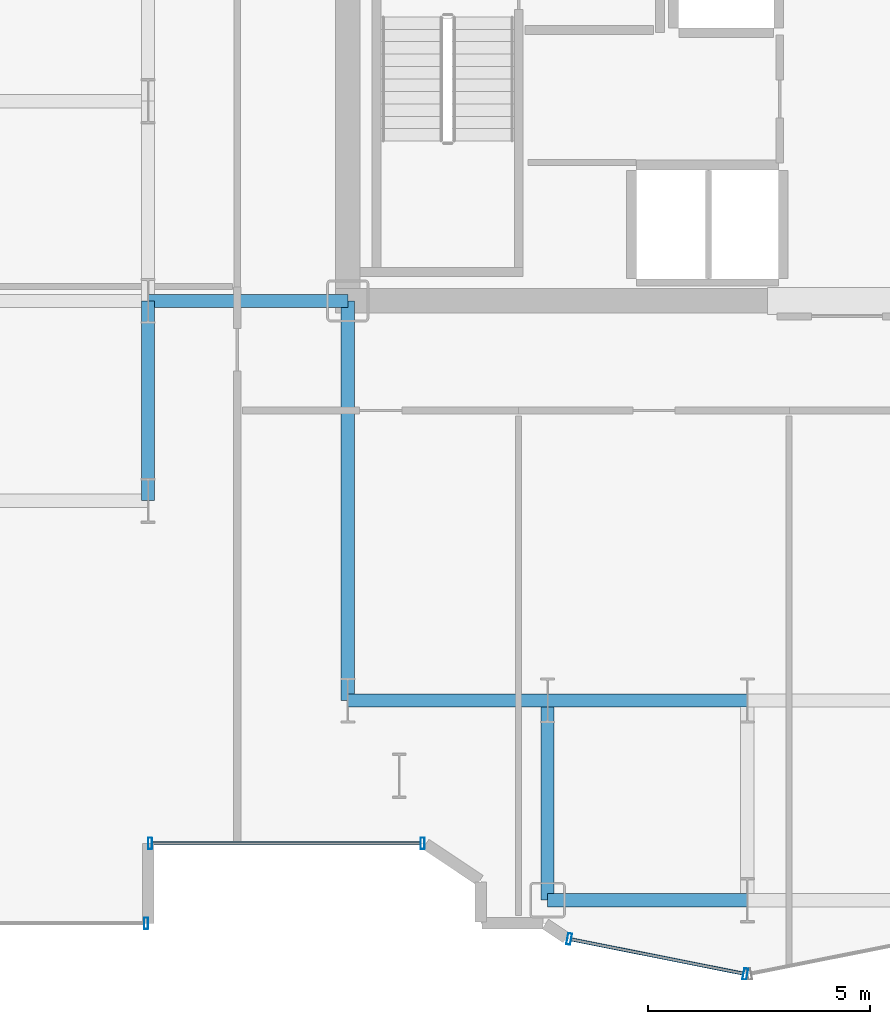
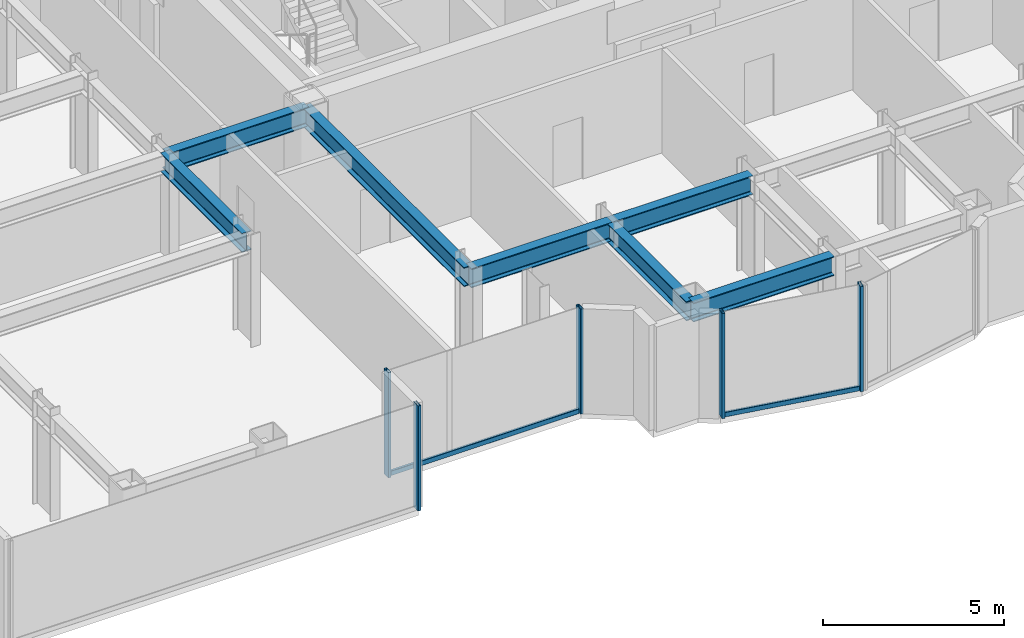
# One storey, part 4 of 26: 7 beams, 7 members, 3 elements without a shape of their own.
"""IFC4 building model written with IfcOpenShell, lengths in metres."""

from ifc_helpers import new_model, si_unit, direction, frame, origin, origin_2d, place, context, subcontext, project, spatial, hollow_rectangle, i_section, extrude, source, transform, mapped, material, layer, layer_set, material_profile, profile_set, type_object, element, aggregate, save


model = new_model("IFC4")

# Units and contexts
model_context = context("Model", 3, precision=1e-05, world=origin(), true_north=direction((0.0, 1.0)))
body_context = subcontext(model_context, "Body", "Model", "MODEL_VIEW")
ifc_project = project(units=[si_unit("LENGTHUNIT", "METRE"), si_unit("AREAUNIT", "SQUARE_METRE"), si_unit("VOLUMEUNIT", "CUBIC_METRE"), si_unit("PLANEANGLEUNIT", "RADIAN"), si_unit("MASSUNIT", "GRAM", prefix="KILO")], contexts=[model_context])

# Site, building, storey
site_placement = place(None, origin())
site = spatial("IfcSite", under=ifc_project, at=site_placement, CompositionType="ELEMENT")
building_placement = place(site_placement, origin())
building = spatial("IfcBuilding", under=site, at=building_placement, Name="Nefas-Gora Pilgrimage Tower", CompositionType="ELEMENT")
storey_placement = place(building_placement, frame((0.0, 0.0, 128.800048828125)))
storey = spatial("IfcBuildingStorey", under=building, at=storey_placement, Name="L31", CompositionType="ELEMENT", Elevation=128.800048828125)

# Beams
ifc_material_1 = material(Name="Steel S355", Category="steel")
ifc_material_profile_1 = material_profile(ifc_material_1, i_section(OverallWidth=0.300048828125, OverallDepth=0.64990234375, WebThickness=0.01611328125, FlangeThickness=0.031005859375, FilletRadius=0.027099609375, at=origin_2d()), Name="HEB 650")
ifc_profile_set_1 = profile_set([ifc_material_profile_1], Name="Steel S355")
beam_type = type_object("IfcBeamType", Name="BM-GIR-HEB650", PredefinedType="BEAM", material=ifc_profile_set_1)
shared_shape_1 = source(origin(), body_context, "Body", "SweptSolid", [
    extrude(i_section(OverallWidth=0.300048828125, OverallDepth=0.64990234375, WebThickness=0.01611328125, FlangeThickness=0.031005859375, FilletRadius=0.027099609375, at=origin_2d()), origin(), (0.0, 0.0, 1.0), 9.0),
])
beam_placement = place(storey_placement, frame((-11.25, -18.0, 3.224853515625), z_axis=(0.0, 1.0, 0.0), x_axis=(-1.0, 0.0, 0.0)))
element("IfcBeam", 1, at=beam_placement, inside=storey, type_object=beam_type, Name="L31 G-03 beam", PredefinedType="BEAM", context=body_context, shape_type="MappedRepresentation", body=[
    mapped(shared_shape_1, transform((0.0, 0.0, 0.0), x_axis=(1.0, 0.0, 0.0), y_axis=(0.0, 1.0, 0.0), z_axis=(0.0, 0.0, 1.0), scale=1.0)),
])
shared_shape_2 = source(origin(), body_context, "Body", "SweptSolid", [
    extrude(i_section(OverallWidth=0.300048828125, OverallDepth=0.64990234375, WebThickness=0.01611328125, FlangeThickness=0.031005859375, FilletRadius=0.027099609375, at=origin_2d()), origin(), (0.0, 0.0, 1.0), 4.5),
])
for number, where, z_axis, x_axis, name in (
    (2, (-15.75, -13.5, 3.224853515625), (0.0, 1.0, 0.0), (-1.0, 0.0, 0.0), "L31 G-03 beam"),
    (3, (-15.75, -9.0, 3.224853515625), (1.0, 0.0, 0.0), (0.0, 1.0, 0.0), "L31 G-03 beam"),
    (4, (-11.25, -18.0, 3.224853515625), (1.0, 0.0, 0.0), (0.0, 1.0, 0.0), "L31 G-03 beam"),
    (5, (-6.75, -22.5, 3.224853515625), (0.0, 1.0, 0.0), (-1.0, 0.0, 0.0), "L31 G-03 beam"),
    (6, (-6.75, -22.5, 3.224853515625), (1.0, 0.0, 0.0), (0.0, 1.0, 0.0), "L31 G-03 beam"),
    (7, (-6.75, -18.0, 3.224853515625), (1.0, 0.0, 0.0), (0.0, 1.0, 0.0), "L31 G-03 beam"),
):
    element("IfcBeam", number, at=place(storey_placement, frame(where, z_axis=z_axis, x_axis=x_axis)), inside=storey, type_object=beam_type, Name=name, PredefinedType="BEAM", context=body_context, shape_type="MappedRepresentation", body=[
        mapped(shared_shape_2, transform((0.0, 0.0, 0.0), x_axis=(1.0, 0.0, 0.0), y_axis=(0.0, 1.0, 0.0), z_axis=(0.0, 0.0, 1.0), scale=1.0)),
    ])

# Curtain wall, members
ifc_material_2 = material(Name="Dark ceramic-fritted solar-control aluminium-glass curtain wall", Category="aluminium")
ifc_layer_1 = layer(ifc_material_2, 0.219970703125)
ifc_layer_set_1 = layer_set([ifc_layer_1], Name="Dark ceramic-fritted solar-control aluminium-glass curtain wall")
curtain_wall_type_1 = type_object("IfcCurtainWallType", Name="CW-SYS-5", PredefinedType="NOTDEFINED", material=ifc_layer_set_1)
curtain_wall_1_placement = place(storey_placement, origin())
curtain_wall_1 = element("IfcCurtainWall", 8, at=curtain_wall_1_placement, inside=storey, type_object=curtain_wall_type_1, Name="L31 Unitised Curtain Wall CW5", PredefinedType="NOTDEFINED")
ifc_material_3 = material(Name="Anodised architectural aluminium", Category="aluminium")
ifc_material_profile_2 = material_profile(ifc_material_3, hollow_rectangle(XDim=0.090087890625, YDim=0.260009765625, WallThickness=0.006103515625, InnerFilletRadius=0.006103515625, OuterFilletRadius=0.011962890625, at=origin_2d()), Name="ALU MULLION 90x260")
ifc_profile_set_2 = profile_set([ifc_material_profile_2], Name="Anodised architectural aluminium")
member_type_1 = type_object("IfcMemberType", Name="CWM-MUL-5", PredefinedType="MULLION", material=ifc_profile_set_2)
shared_shape_3 = source(origin(), body_context, "Body", "SweptSolid", [
    extrude(hollow_rectangle(XDim=0.090087890625, YDim=0.260009765625, WallThickness=0.006103515625, InnerFilletRadius=0.006103515625, OuterFilletRadius=0.011962890625, at=origin_2d()), origin(), (0.0, 0.0, 1.0), 3.550048828125),
])
member_1_placement = place(storey_placement, frame((-15.705078125, -21.219970703125, 0.0), z_axis=(0.0, 0.0, 1.0), x_axis=(1.0, 0.0, 0.0)))
member_1 = element("IfcMember", 9, at=member_1_placement, type_object=member_type_1, Name="CW5 Mullion 1", PredefinedType="MULLION", context=body_context, shape_type="MappedRepresentation", body=[
    mapped(shared_shape_3, transform((0.0, 0.0, 0.0), x_axis=(1.0, 0.0, 0.0), y_axis=(0.0, 1.0, 0.0), z_axis=(0.0, 0.0, 1.0), scale=1.0)),
])
member_2_placement = place(storey_placement, frame((-9.56298828125, -21.219970703125, 0.0), z_axis=(0.0, 0.0, 1.0), x_axis=(1.0, 0.0, 0.0)))
member_2 = element("IfcMember", 10, at=member_2_placement, type_object=member_type_1, Name="CW5 Mullion 2", PredefinedType="MULLION", context=body_context, shape_type="MappedRepresentation", body=[
    mapped(shared_shape_3, transform((0.0, 0.0, 0.0), x_axis=(1.0, 0.0, 0.0), y_axis=(0.0, 1.0, 0.0), z_axis=(0.0, 0.0, 1.0), scale=1.0)),
])

curtain_wall_2_placement = place(storey_placement, origin())
curtain_wall_2 = element("IfcCurtainWall", 11, at=curtain_wall_2_placement, inside=storey, type_object=curtain_wall_type_1, Name="L31 Unitised Curtain Wall CW5", PredefinedType="NOTDEFINED")
member_3_placement = place(storey_placement, frame((-6.26318359375, -23.3740234375, 0.0), z_axis=(0.0, 0.0, 1.0), x_axis=(0.980782896852, -0.195102304554, 0.0)))
member_3 = element("IfcMember", 12, at=member_3_placement, type_object=member_type_1, Name="CW5 Mullion 1", PredefinedType="MULLION", context=body_context, shape_type="MappedRepresentation", body=[
    mapped(shared_shape_3, transform((0.0, 0.0, 0.0), x_axis=(1.0, 0.0, 0.0), y_axis=(0.0, 1.0, 0.0), z_axis=(0.0, 0.0, 1.0), scale=1.0)),
])
member_4_placement = place(storey_placement, frame((-2.294189453125, -24.16357421875, 0.0), z_axis=(0.0, 0.0, 1.0), x_axis=(0.980782896852, -0.195102304554, 0.0)))
member_4 = element("IfcMember", 13, at=member_4_placement, type_object=member_type_1, Name="CW5 Mullion 2", PredefinedType="MULLION", context=body_context, shape_type="MappedRepresentation", body=[
    mapped(shared_shape_3, transform((0.0, 0.0, 0.0), x_axis=(1.0, 0.0, 0.0), y_axis=(0.0, 1.0, 0.0), z_axis=(0.0, 0.0, 1.0), scale=1.0)),
])

# Member
ifc_material_profile_3 = material_profile(ifc_material_3, hollow_rectangle(XDim=0.080078125, YDim=0.159912109375, WallThickness=0.00439453125, InnerFilletRadius=0.00439453125, OuterFilletRadius=0.009033203125, at=origin_2d()), Name="ALU TRANSOM 80x160")
ifc_profile_set_3 = profile_set([ifc_material_profile_3], Name="Anodised architectural aluminium")
member_type_2 = type_object("IfcMemberType", Name="CWM-TRN-5", PredefinedType="USERDEFINED", material=ifc_profile_set_3)
shared_shape_4 = source(origin(), body_context, "Body", "SweptSolid", [
    extrude(hollow_rectangle(XDim=0.080078125, YDim=0.159912109375, WallThickness=0.00439453125, InnerFilletRadius=0.00439453125, OuterFilletRadius=0.009033203125, at=origin_2d()), origin(), (0.0, 0.0, 1.0), 6.052001953125),
])
member_5_placement = place(storey_placement, frame((-15.659912109375, -21.219970703125, 0.050048828125), z_axis=(1.0, 0.0, 0.0), x_axis=(0.0, 1.0, 0.0)))
member_5 = element("IfcMember", 14, at=member_5_placement, type_object=member_type_2, Name="CW5 Spandrel Transom", ObjectType="TRANSOM", PredefinedType="USERDEFINED", context=body_context, shape_type="MappedRepresentation", body=[
    mapped(shared_shape_4, transform((0.0, 0.0, 0.0), x_axis=(1.0, 0.0, 0.0), y_axis=(0.0, 1.0, 0.0), z_axis=(0.0, 0.0, 1.0), scale=1.0)),
])

aggregate(curtain_wall_1, [member_1, member_2, member_5])

# Curtain wall, member
ifc_layer_2 = layer(ifc_material_2, 0.219970703125)
ifc_layer_set_2 = layer_set([ifc_layer_2], Name="Dark ceramic-fritted solar-control aluminium-glass curtain wall")
curtain_wall_type_2 = type_object("IfcCurtainWallType", Name="CW-SYS-2", PredefinedType="NOTDEFINED", material=ifc_layer_set_2)
curtain_wall_3_placement = place(storey_placement, origin())
curtain_wall_3 = element("IfcCurtainWall", 15, at=curtain_wall_3_placement, inside=storey, type_object=curtain_wall_type_2, Name="L31 Unitised Curtain Wall CW2", PredefinedType="NOTDEFINED")
ifc_material_profile_4 = material_profile(ifc_material_3, hollow_rectangle(XDim=0.090087890625, YDim=0.260009765625, WallThickness=0.006103515625, InnerFilletRadius=0.006103515625, OuterFilletRadius=0.011962890625, at=origin_2d()), Name="ALU MULLION 90x260")
ifc_profile_set_4 = profile_set([ifc_material_profile_4], Name="Anodised architectural aluminium")
member_type_3 = type_object("IfcMemberType", Name="CWM-MUL-2", PredefinedType="MULLION", material=ifc_profile_set_4)
shared_shape_5 = source(origin(), body_context, "Body", "SweptSolid", [
    extrude(hollow_rectangle(XDim=0.090087890625, YDim=0.260009765625, WallThickness=0.006103515625, InnerFilletRadius=0.006103515625, OuterFilletRadius=0.011962890625, at=origin_2d()), origin(), (0.0, 0.0, 1.0), 3.550048828125),
])
member_6_placement = place(storey_placement, frame((-15.794921875, -23.02001953125, 0.0), z_axis=(0.0, 0.0, 1.0), x_axis=(1.0, 0.0, 0.0)))
member_6 = element("IfcMember", 16, at=member_6_placement, type_object=member_type_3, Name="CW2 Mullion 2", PredefinedType="MULLION", context=body_context, shape_type="MappedRepresentation", body=[
    mapped(shared_shape_5, transform((0.0, 0.0, 0.0), x_axis=(1.0, 0.0, 0.0), y_axis=(0.0, 1.0, 0.0), z_axis=(0.0, 0.0, 1.0), scale=1.0)),
])
aggregate(curtain_wall_3, [member_6])

# Member
shared_shape_6 = source(origin(), body_context, "Body", "SweptSolid", [
    extrude(hollow_rectangle(XDim=0.080078125, YDim=0.159912109375, WallThickness=0.00439453125, InnerFilletRadius=0.00439453125, OuterFilletRadius=0.009033203125, at=origin_2d()), origin(), (0.0, 0.0, 1.0), 3.95654296875),
])
member_7_placement = place(storey_placement, frame((-6.218994140625, -23.3828125, 0.050048828125), z_axis=(0.980781880918, -0.195107411605, 0.0), x_axis=(0.195107411605, 0.980781880918, 0.0)))
member_7 = element("IfcMember", 17, at=member_7_placement, type_object=member_type_2, Name="CW5 Spandrel Transom", ObjectType="TRANSOM", PredefinedType="USERDEFINED", context=body_context, shape_type="MappedRepresentation", body=[
    mapped(shared_shape_6, transform((0.0, 0.0, 0.0), x_axis=(1.0, 0.0, 0.0), y_axis=(0.0, 1.0, 0.0), z_axis=(0.0, 0.0, 1.0), scale=1.0)),
])

aggregate(curtain_wall_2, [member_3, member_4, member_7])

save(model, "model.ifc")
